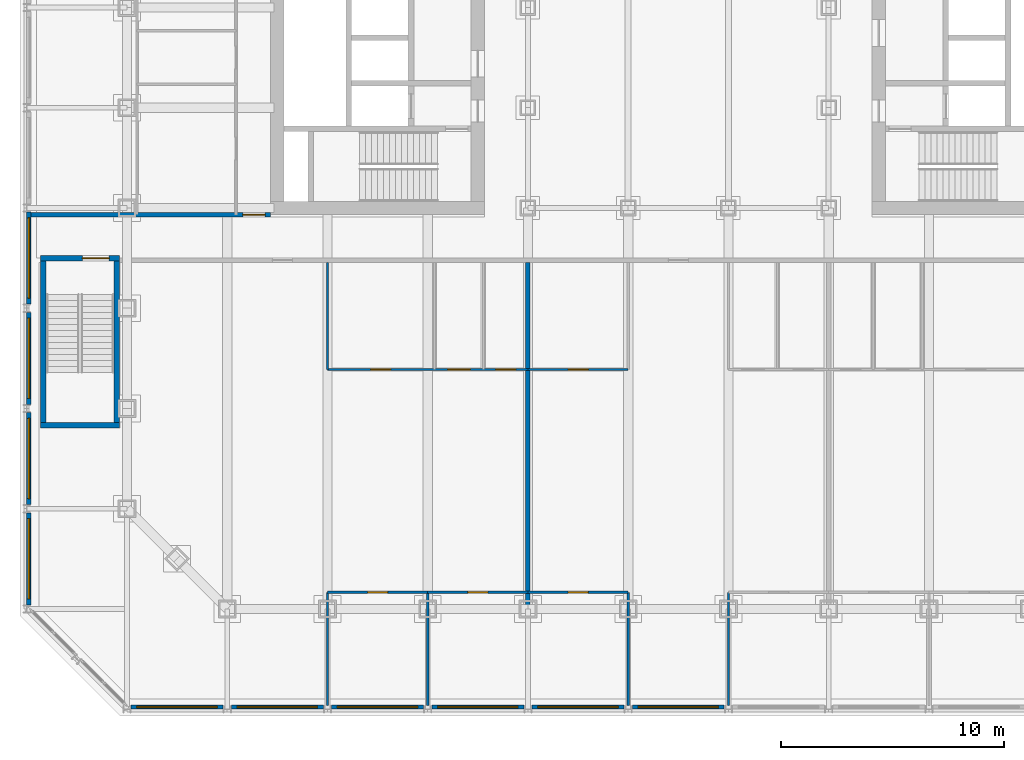
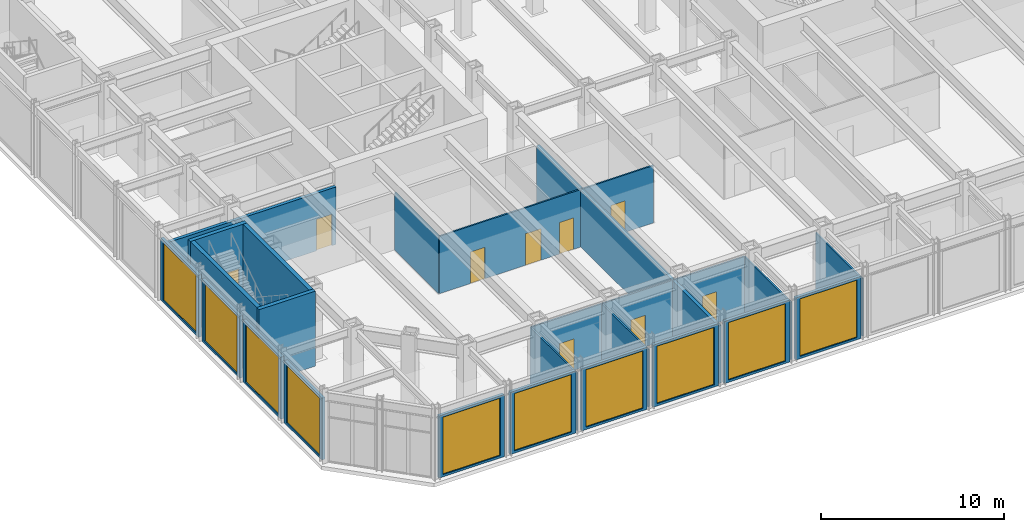
# One storey, part 10 of 19: 26 walls, 10 windows, 9 doors, 19 openings.
"""IFC4 building model written with IfcOpenShell, lengths in metres."""

from ifc_helpers import new_model, si_unit, direction, frame, frame_2d, origin, place, context, subcontext, project, spatial, rectangle, extrude, material, layer, layer_set, type_object, element, fill, save


model = new_model("IFC4")

# Units and contexts
model_context = context("Model", 3, precision=1e-05, world=origin(), true_north=direction((0.0, 1.0)))
body_context = subcontext(model_context, "Body", "Model", "MODEL_VIEW")
ifc_project = project(units=[si_unit("LENGTHUNIT", "METRE"), si_unit("AREAUNIT", "SQUARE_METRE"), si_unit("VOLUMEUNIT", "CUBIC_METRE"), si_unit("PLANEANGLEUNIT", "RADIAN"), si_unit("MASSUNIT", "GRAM", prefix="KILO")], contexts=[model_context])

# Site, building, storey
site_placement = place(None, origin())
site = spatial("IfcSite", under=ifc_project, at=site_placement, CompositionType="ELEMENT")
building_placement = place(site_placement, origin())
building = spatial("IfcBuilding", under=site, at=building_placement, Name="Msasa Ring Tower", CompositionType="ELEMENT")
storey_placement = place(building_placement, frame((0.0, 0.0, 6.0)))
storey = spatial("IfcBuildingStorey", under=building, at=storey_placement, Name="L01", CompositionType="ELEMENT", Elevation=6.0)

# Wall, opening, window
ifc_material_1 = material(Name="Terracotta rainscreen on blockwork", Category="masonry")
ifc_layer_1 = layer(ifc_material_1, 0.199951171875)
ifc_layer_set_1 = layer_set([ifc_layer_1], Name="FW2 TERRACOTTA PODIUM BAY WALL 200")
wall_type_1 = type_object("IfcWallType", Name="FW2 TERRACOTTA PODIUM BAY WALL 200", PredefinedType="SOLIDWALL", material=ifc_layer_set_1)
wall_1_placement = place(storey_placement, frame((-24.562255859375, -29.14990234375, 0.0), z_axis=(0.0, 0.0, 1.0), x_axis=(1.0, 0.0, 0.0)))
wall_1 = element("IfcWall", 1, at=wall_1_placement, inside=storey, type_object=wall_type_1, Name="Podium bay wall S L01 00", PredefinedType="SOLIDWALL", context=body_context, shape_type="SweptSolid", body=[
    extrude(rectangle(XDim=4.12451171875, YDim=0.199951171875, at=frame_2d((2.062255859375, 0.0))), origin(), (0.0, 0.0, 1.0), 4.1328125),
])
opening_1_placement = place(wall_1_placement, frame((0.26220703125, 0.0, 0.14990234375)))
opening_1 = element("IfcOpeningElement", 2, at=opening_1_placement, cuts=wall_1, Name="Opening SF2", PredefinedType="OPENING", context=body_context, shape_type="SweptSolid", body=[
    extrude(rectangle(XDim=3.60009765625, YDim=3.8330078125, at=frame_2d((1.800048828125, 1.91650390625))), frame((0.0, 0.10986328125, 0.0), z_axis=(0.0, -1.0, 0.0), x_axis=(1.0, 0.0, 0.0)), (0.0, 0.0, 1.0), 0.219970703125),
])
ifc_material_2 = material(Name="Aluminium frame with clear glass", Category="aluminium")
window_type = type_object("IfcWindowType", Name="SF2 SHOPFRONT GLAZING 3600x3833", PartitioningType="SINGLE_PANEL", PredefinedType="WINDOW", material=ifc_material_2)
window_1_placement = place(opening_1_placement, origin())
window_1 = element("IfcWindow", 3, at=window_1_placement, inside=storey, type_object=window_type, Name="Shopfront glazing S L01 00", OverallHeight=3.8330078125, OverallWidth=3.60009765625, PartitioningType="SINGLE_PANEL", PredefinedType="WINDOW", context=body_context, shape_type="SweptSolid", body=[
    extrude(rectangle(XDim=3.60009765625, YDim=3.8330078125, at=frame_2d((1.800048828125, 1.91650390625))), frame((0.0, 0.030029296875, 0.0), z_axis=(0.0, -1.0, 0.0), x_axis=(1.0, 0.0, 0.0)), (0.0, 0.0, 1.0), 0.06005859375),
])
fill(opening_1, window_1)

wall_2_placement = place(storey_placement, frame((-20.062255859375, -29.14990234375, 0.0), z_axis=(0.0, 0.0, 1.0), x_axis=(1.0, 0.0, 0.0)))
wall_2 = element("IfcWall", 4, at=wall_2_placement, inside=storey, type_object=wall_type_1, Name="Podium bay wall S L01 01", PredefinedType="SOLIDWALL", context=body_context, shape_type="SweptSolid", body=[
    extrude(rectangle(XDim=4.124755859375, YDim=0.199951171875, at=frame_2d((2.0625, 0.0))), origin(), (0.0, 0.0, 1.0), 4.1328125),
])
opening_2_placement = place(wall_2_placement, frame((0.26220703125, 0.0, 0.14990234375)))
opening_2 = element("IfcOpeningElement", 5, at=opening_2_placement, cuts=wall_2, Name="Opening SF2", PredefinedType="OPENING", context=body_context, shape_type="SweptSolid", body=[
    extrude(rectangle(XDim=3.60009765625, YDim=3.8330078125, at=frame_2d((1.800048828125, 1.91650390625))), frame((0.0, 0.10986328125, 0.0), z_axis=(0.0, -1.0, 0.0), x_axis=(1.0, 0.0, 0.0)), (0.0, 0.0, 1.0), 0.219970703125),
])
window_2_placement = place(opening_2_placement, origin())
window_2 = element("IfcWindow", 6, at=window_2_placement, inside=storey, type_object=window_type, Name="Shopfront glazing S L01 01", OverallHeight=3.8330078125, OverallWidth=3.60009765625, PartitioningType="SINGLE_PANEL", PredefinedType="WINDOW", context=body_context, shape_type="SweptSolid", body=[
    extrude(rectangle(XDim=3.60009765625, YDim=3.8330078125, at=frame_2d((1.800048828125, 1.91650390625))), frame((0.0, 0.030029296875, 0.0), z_axis=(0.0, -1.0, 0.0), x_axis=(1.0, 0.0, 0.0)), (0.0, 0.0, 1.0), 0.06005859375),
])
fill(opening_2, window_2)

wall_3_placement = place(storey_placement, frame((-15.5625, -29.14990234375, 0.0), z_axis=(0.0, 0.0, 1.0), x_axis=(1.0, 0.0, 0.0)))
wall_3 = element("IfcWall", 7, at=wall_3_placement, inside=storey, type_object=wall_type_1, Name="Podium bay wall S L01 02", PredefinedType="SOLIDWALL", context=body_context, shape_type="SweptSolid", body=[
    extrude(rectangle(XDim=4.125, YDim=0.199951171875, at=frame_2d((2.0625, 0.0))), origin(), (0.0, 0.0, 1.0), 4.1328125),
])
opening_3_placement = place(wall_3_placement, frame((0.262451171875, 0.0, 0.14990234375)))
opening_3 = element("IfcOpeningElement", 8, at=opening_3_placement, cuts=wall_3, Name="Opening SF2", PredefinedType="OPENING", context=body_context, shape_type="SweptSolid", body=[
    extrude(rectangle(XDim=3.60009765625, YDim=3.8330078125, at=frame_2d((1.800048828125, 1.91650390625))), frame((0.0, 0.10986328125, 0.0), z_axis=(0.0, -1.0, 0.0), x_axis=(1.0, 0.0, 0.0)), (0.0, 0.0, 1.0), 0.219970703125),
])
window_3_placement = place(opening_3_placement, origin())
window_3 = element("IfcWindow", 9, at=window_3_placement, inside=storey, type_object=window_type, Name="Shopfront glazing S L01 02", OverallHeight=3.8330078125, OverallWidth=3.60009765625, PartitioningType="SINGLE_PANEL", PredefinedType="WINDOW", context=body_context, shape_type="SweptSolid", body=[
    extrude(rectangle(XDim=3.60009765625, YDim=3.8330078125, at=frame_2d((1.800048828125, 1.91650390625))), frame((0.0, 0.030029296875, 0.0), z_axis=(0.0, -1.0, 0.0), x_axis=(1.0, 0.0, 0.0)), (0.0, 0.0, 1.0), 0.06005859375),
])
fill(opening_3, window_3)

wall_4_placement = place(storey_placement, frame((-11.0625, -29.14990234375, 0.0), z_axis=(0.0, 0.0, 1.0), x_axis=(1.0, 0.0, 0.0)))
wall_4 = element("IfcWall", 10, at=wall_4_placement, inside=storey, type_object=wall_type_1, Name="Podium bay wall S L01 03", PredefinedType="SOLIDWALL", context=body_context, shape_type="SweptSolid", body=[
    extrude(rectangle(XDim=4.125, YDim=0.199951171875, at=frame_2d((2.0625, 0.0))), origin(), (0.0, 0.0, 1.0), 4.1328125),
])
opening_4_placement = place(wall_4_placement, frame((0.262451171875, 0.0, 0.14990234375)))
opening_4 = element("IfcOpeningElement", 11, at=opening_4_placement, cuts=wall_4, Name="Opening SF2", PredefinedType="OPENING", context=body_context, shape_type="SweptSolid", body=[
    extrude(rectangle(XDim=3.60009765625, YDim=3.8330078125, at=frame_2d((1.800048828125, 1.91650390625))), frame((0.0, 0.10986328125, 0.0), z_axis=(0.0, -1.0, 0.0), x_axis=(1.0, 0.0, 0.0)), (0.0, 0.0, 1.0), 0.219970703125),
])
window_4_placement = place(opening_4_placement, origin())
window_4 = element("IfcWindow", 12, at=window_4_placement, inside=storey, type_object=window_type, Name="Shopfront glazing S L01 03", OverallHeight=3.8330078125, OverallWidth=3.60009765625, PartitioningType="SINGLE_PANEL", PredefinedType="WINDOW", context=body_context, shape_type="SweptSolid", body=[
    extrude(rectangle(XDim=3.60009765625, YDim=3.8330078125, at=frame_2d((1.800048828125, 1.91650390625))), frame((0.0, 0.030029296875, 0.0), z_axis=(0.0, -1.0, 0.0), x_axis=(1.0, 0.0, 0.0)), (0.0, 0.0, 1.0), 0.06005859375),
])
fill(opening_4, window_4)

wall_5_placement = place(storey_placement, frame((-6.5625, -29.14990234375, 0.0), z_axis=(0.0, 0.0, 1.0), x_axis=(1.0, 0.0, 0.0)))
wall_5 = element("IfcWall", 13, at=wall_5_placement, inside=storey, type_object=wall_type_1, Name="Podium bay wall S L01 04", PredefinedType="SOLIDWALL", context=body_context, shape_type="SweptSolid", body=[
    extrude(rectangle(XDim=4.124755859375, YDim=0.199951171875, at=frame_2d((2.0625, 0.0))), origin(), (0.0, 0.0, 1.0), 4.1328125),
])
opening_5_placement = place(wall_5_placement, frame((0.262451171875, 0.0, 0.14990234375)))
opening_5 = element("IfcOpeningElement", 14, at=opening_5_placement, cuts=wall_5, Name="Opening SF2", PredefinedType="OPENING", context=body_context, shape_type="SweptSolid", body=[
    extrude(rectangle(XDim=3.60009765625, YDim=3.8330078125, at=frame_2d((1.800048828125, 1.91650390625))), frame((0.0, 0.10986328125, 0.0), z_axis=(0.0, -1.0, 0.0), x_axis=(1.0, 0.0, 0.0)), (0.0, 0.0, 1.0), 0.219970703125),
])
window_5_placement = place(opening_5_placement, origin())
window_5 = element("IfcWindow", 15, at=window_5_placement, inside=storey, type_object=window_type, Name="Shopfront glazing S L01 04", OverallHeight=3.8330078125, OverallWidth=3.60009765625, PartitioningType="SINGLE_PANEL", PredefinedType="WINDOW", context=body_context, shape_type="SweptSolid", body=[
    extrude(rectangle(XDim=3.60009765625, YDim=3.8330078125, at=frame_2d((1.800048828125, 1.91650390625))), frame((0.0, 0.030029296875, 0.0), z_axis=(0.0, -1.0, 0.0), x_axis=(1.0, 0.0, 0.0)), (0.0, 0.0, 1.0), 0.06005859375),
])
fill(opening_5, window_5)

wall_6_placement = place(storey_placement, frame((-2.062255859375, -29.14990234375, 0.0), z_axis=(0.0, 0.0, 1.0), x_axis=(1.0, 0.0, 0.0)))
wall_6 = element("IfcWall", 16, at=wall_6_placement, inside=storey, type_object=wall_type_1, Name="Podium bay wall S L01 05", PredefinedType="SOLIDWALL", context=body_context, shape_type="SweptSolid", body=[
    extrude(rectangle(XDim=4.12451171875, YDim=0.199951171875, at=frame_2d((2.062255859375, 0.0))), origin(), (0.0, 0.0, 1.0), 4.1328125),
])
opening_6_placement = place(wall_6_placement, frame((0.26220703125, 0.0, 0.14990234375)))
opening_6 = element("IfcOpeningElement", 17, at=opening_6_placement, cuts=wall_6, Name="Opening SF2", PredefinedType="OPENING", context=body_context, shape_type="SweptSolid", body=[
    extrude(rectangle(XDim=3.60009765625, YDim=3.8330078125, at=frame_2d((1.800048828125, 1.91650390625))), frame((0.0, 0.10986328125, 0.0), z_axis=(0.0, -1.0, 0.0), x_axis=(1.0, 0.0, 0.0)), (0.0, 0.0, 1.0), 0.219970703125),
])
window_6_placement = place(opening_6_placement, origin())
window_6 = element("IfcWindow", 18, at=window_6_placement, inside=storey, type_object=window_type, Name="Shopfront glazing S L01 05", OverallHeight=3.8330078125, OverallWidth=3.60009765625, PartitioningType="SINGLE_PANEL", PredefinedType="WINDOW", context=body_context, shape_type="SweptSolid", body=[
    extrude(rectangle(XDim=3.60009765625, YDim=3.8330078125, at=frame_2d((1.800048828125, 1.91650390625))), frame((0.0, 0.030029296875, 0.0), z_axis=(0.0, -1.0, 0.0), x_axis=(1.0, 0.0, 0.0)), (0.0, 0.0, 1.0), 0.06005859375),
])
fill(opening_6, window_6)

wall_7_placement = place(storey_placement, frame((-29.14990234375, -24.562255859375, 0.0), z_axis=(0.0, 0.0, 1.0), x_axis=(0.0, 1.0, 0.0)))
wall_7 = element("IfcWall", 19, at=wall_7_placement, inside=storey, type_object=wall_type_1, Name="Podium bay wall W L01 39", PredefinedType="SOLIDWALL", context=body_context, shape_type="SweptSolid", body=[
    extrude(rectangle(XDim=4.12451171875, YDim=0.199951171875, at=frame_2d((2.062255859375, 0.0))), origin(), (0.0, 0.0, 1.0), 4.1328125),
])
opening_7_placement = place(wall_7_placement, frame((0.26220703125, 0.0, 0.14990234375)))
opening_7 = element("IfcOpeningElement", 20, at=opening_7_placement, cuts=wall_7, Name="Opening SF2", PredefinedType="OPENING", context=body_context, shape_type="SweptSolid", body=[
    extrude(rectangle(XDim=3.60009765625, YDim=3.8330078125, at=frame_2d((1.800048828125, 1.91650390625))), frame((0.0, 0.10986328125, 0.0), z_axis=(0.0, -1.0, 0.0), x_axis=(1.0, 0.0, 0.0)), (0.0, 0.0, 1.0), 0.219970703125),
])
window_7_placement = place(opening_7_placement, origin())
window_7 = element("IfcWindow", 21, at=window_7_placement, inside=storey, type_object=window_type, Name="Shopfront glazing W L01 39", OverallHeight=3.8330078125, OverallWidth=3.60009765625, PartitioningType="SINGLE_PANEL", PredefinedType="WINDOW", context=body_context, shape_type="SweptSolid", body=[
    extrude(rectangle(XDim=3.60009765625, YDim=3.8330078125, at=frame_2d((1.800048828125, 1.91650390625))), frame((0.0, 0.030029296875, 0.0), z_axis=(0.0, -1.0, 0.0), x_axis=(1.0, 0.0, 0.0)), (0.0, 0.0, 1.0), 0.06005859375),
])
fill(opening_7, window_7)

wall_8_placement = place(storey_placement, frame((-29.14990234375, -20.062255859375, 0.0), z_axis=(0.0, 0.0, 1.0), x_axis=(0.0, 1.0, 0.0)))
wall_8 = element("IfcWall", 22, at=wall_8_placement, inside=storey, type_object=wall_type_1, Name="Podium bay wall W L01 40", PredefinedType="SOLIDWALL", context=body_context, shape_type="SweptSolid", body=[
    extrude(rectangle(XDim=4.124755859375, YDim=0.199951171875, at=frame_2d((2.0625, 0.0))), origin(), (0.0, 0.0, 1.0), 4.1328125),
])
opening_8_placement = place(wall_8_placement, frame((0.26220703125, 0.0, 0.14990234375)))
opening_8 = element("IfcOpeningElement", 23, at=opening_8_placement, cuts=wall_8, Name="Opening SF2", PredefinedType="OPENING", context=body_context, shape_type="SweptSolid", body=[
    extrude(rectangle(XDim=3.60009765625, YDim=3.8330078125, at=frame_2d((1.800048828125, 1.91650390625))), frame((0.0, 0.10986328125, 0.0), z_axis=(0.0, -1.0, 0.0), x_axis=(1.0, 0.0, 0.0)), (0.0, 0.0, 1.0), 0.219970703125),
])
window_8_placement = place(opening_8_placement, origin())
window_8 = element("IfcWindow", 24, at=window_8_placement, inside=storey, type_object=window_type, Name="Shopfront glazing W L01 40", OverallHeight=3.8330078125, OverallWidth=3.60009765625, PartitioningType="SINGLE_PANEL", PredefinedType="WINDOW", context=body_context, shape_type="SweptSolid", body=[
    extrude(rectangle(XDim=3.60009765625, YDim=3.8330078125, at=frame_2d((1.800048828125, 1.91650390625))), frame((0.0, 0.030029296875, 0.0), z_axis=(0.0, -1.0, 0.0), x_axis=(1.0, 0.0, 0.0)), (0.0, 0.0, 1.0), 0.06005859375),
])
fill(opening_8, window_8)

wall_9_placement = place(storey_placement, frame((-29.14990234375, -15.5625, 0.0), z_axis=(0.0, 0.0, 1.0), x_axis=(0.0, 1.0, 0.0)))
wall_9 = element("IfcWall", 25, at=wall_9_placement, inside=storey, type_object=wall_type_1, Name="Podium bay wall W L01 41", PredefinedType="SOLIDWALL", context=body_context, shape_type="SweptSolid", body=[
    extrude(rectangle(XDim=4.125, YDim=0.199951171875, at=frame_2d((2.0625, 0.0))), origin(), (0.0, 0.0, 1.0), 4.1328125),
])
opening_9_placement = place(wall_9_placement, frame((0.262451171875, 0.0, 0.14990234375)))
opening_9 = element("IfcOpeningElement", 26, at=opening_9_placement, cuts=wall_9, Name="Opening SF2", PredefinedType="OPENING", context=body_context, shape_type="SweptSolid", body=[
    extrude(rectangle(XDim=3.60009765625, YDim=3.8330078125, at=frame_2d((1.800048828125, 1.91650390625))), frame((0.0, 0.10986328125, 0.0), z_axis=(0.0, -1.0, 0.0), x_axis=(1.0, 0.0, 0.0)), (0.0, 0.0, 1.0), 0.219970703125),
])
window_9_placement = place(opening_9_placement, origin())
window_9 = element("IfcWindow", 27, at=window_9_placement, inside=storey, type_object=window_type, Name="Shopfront glazing W L01 41", OverallHeight=3.8330078125, OverallWidth=3.60009765625, PartitioningType="SINGLE_PANEL", PredefinedType="WINDOW", context=body_context, shape_type="SweptSolid", body=[
    extrude(rectangle(XDim=3.60009765625, YDim=3.8330078125, at=frame_2d((1.800048828125, 1.91650390625))), frame((0.0, 0.030029296875, 0.0), z_axis=(0.0, -1.0, 0.0), x_axis=(1.0, 0.0, 0.0)), (0.0, 0.0, 1.0), 0.06005859375),
])
fill(opening_9, window_9)

wall_10_placement = place(storey_placement, frame((-29.14990234375, -11.0625, 0.0), z_axis=(0.0, 0.0, 1.0), x_axis=(0.0, 1.0, 0.0)))
wall_10 = element("IfcWall", 28, at=wall_10_placement, inside=storey, type_object=wall_type_1, Name="Podium bay wall W L01 42", PredefinedType="SOLIDWALL", context=body_context, shape_type="SweptSolid", body=[
    extrude(rectangle(XDim=4.125, YDim=0.199951171875, at=frame_2d((2.0625, 0.0))), origin(), (0.0, 0.0, 1.0), 4.1328125),
])
opening_10_placement = place(wall_10_placement, frame((0.262451171875, 0.0, 0.14990234375)))
opening_10 = element("IfcOpeningElement", 29, at=opening_10_placement, cuts=wall_10, Name="Opening SF2", PredefinedType="OPENING", context=body_context, shape_type="SweptSolid", body=[
    extrude(rectangle(XDim=3.60009765625, YDim=3.8330078125, at=frame_2d((1.800048828125, 1.91650390625))), frame((0.0, 0.10986328125, 0.0), z_axis=(0.0, -1.0, 0.0), x_axis=(1.0, 0.0, 0.0)), (0.0, 0.0, 1.0), 0.219970703125),
])
window_10_placement = place(opening_10_placement, origin())
window_10 = element("IfcWindow", 30, at=window_10_placement, inside=storey, type_object=window_type, Name="Shopfront glazing W L01 42", OverallHeight=3.8330078125, OverallWidth=3.60009765625, PartitioningType="SINGLE_PANEL", PredefinedType="WINDOW", context=body_context, shape_type="SweptSolid", body=[
    extrude(rectangle(XDim=3.60009765625, YDim=3.8330078125, at=frame_2d((1.800048828125, 1.91650390625))), frame((0.0, 0.030029296875, 0.0), z_axis=(0.0, -1.0, 0.0), x_axis=(1.0, 0.0, 0.0)), (0.0, 0.0, 1.0), 0.06005859375),
])
fill(opening_10, window_10)

# Wall, opening, door
ifc_material_3 = material(Name="Concrete blockwork", Category="masonry")
ifc_layer_2 = layer(ifc_material_3, 0.199951171875)
ifc_layer_set_2 = layer_set([ifc_layer_2], Name="PT1 CORRIDOR WALL 200")
wall_type_2 = type_object("IfcWallType", Name="PT1 CORRIDOR WALL 200", PredefinedType="PARTITIONING", material=ifc_layer_set_2)
wall_11_placement = place(storey_placement, frame((-29.050048828125, -7.050048828125, 0.0), z_axis=(0.0, 0.0, 1.0), x_axis=(1.0, 0.0, 0.0)))
wall_11 = element("IfcWall", 31, at=wall_11_placement, inside=storey, type_object=wall_type_2, Name="Corridor wall L01-STRWS", PredefinedType="PARTITIONING", context=body_context, shape_type="SweptSolid", body=[
    extrude(rectangle(XDim=10.75, YDim=0.199951171875, at=frame_2d((5.375, 0.0))), origin(), (0.0, 0.0, 1.0), 3.8291015625),
])
opening_11_placement = place(wall_11_placement, frame((9.5, 0.0, 0.0)))
opening_11 = element("IfcOpeningElement", 32, at=opening_11_placement, cuts=wall_11, Name="Opening L01-033", PredefinedType="OPENING", context=body_context, shape_type="SweptSolid", body=[
    extrude(rectangle(XDim=1.0, YDim=2.10009765625, at=frame_2d((0.5, 1.050048828125))), frame((0.0, 0.10986328125, 0.0), z_axis=(0.0, -1.0, 0.0), x_axis=(1.0, 0.0, 0.0)), (0.0, 0.0, 1.0), 0.219970703125),
])
ifc_material_4 = material(Name="Timber door leaf in a steel frame", Category="steel")
door_type_1 = type_object("IfcDoorType", Name="D12 WC DOOR 1000x2100", OperationType="SINGLE_SWING_LEFT", PredefinedType="DOOR", material=ifc_material_4)
door_1_placement = place(opening_11_placement, origin())
door_1 = element("IfcDoor", 33, at=door_1_placement, inside=storey, type_object=door_type_1, Name="Door L01-WLWS", OperationType="SINGLE_SWING_RIGHT", OverallHeight=2.10009765625, OverallWidth=1.0, PredefinedType="DOOR", context=body_context, shape_type="SweptSolid", body=[
    extrude(rectangle(XDim=1.0, YDim=2.10009765625, at=frame_2d((0.5, 1.050048828125))), frame((0.0, 0.02490234375, 0.0), z_axis=(0.0, -1.0, 0.0), x_axis=(1.0, 0.0, 0.0)), (0.0, 0.0, 1.0), 0.050048828125),
])
fill(opening_11, door_1)

# Wall, openings, doors
ifc_material_5 = material(Name="Gypsum board on steel studs", Category="steel")
ifc_layer_3 = layer(ifc_material_5, 0.10009765625)
ifc_layer_set_3 = layer_set([ifc_layer_3], Name="PT2 STUD PARTITION 100")
wall_type_3 = type_object("IfcWallType", Name="PT2 STUD PARTITION 100", PredefinedType="PARTITIONING", material=ifc_layer_set_3)
wall_12_placement = place(storey_placement, frame((-15.75, -14.0, 0.0), z_axis=(0.0, 0.0, 1.0), x_axis=(1.0, 0.0, 0.0)))
wall_12 = element("IfcWall", 34, at=wall_12_placement, inside=storey, type_object=wall_type_3, Name="Partition L01-PDS0BY", PredefinedType="PARTITIONING", context=body_context, shape_type="SweptSolid", body=[
    extrude(rectangle(XDim=9.0, YDim=0.10009765625, at=frame_2d((4.5, 0.0))), origin(), (0.0, 0.0, 1.0), 3.8291015625),
])
opening_12_placement = place(wall_12_placement, frame((1.949951171875, 0.0, 0.0)))
opening_12 = element("IfcOpeningElement", 35, at=opening_12_placement, cuts=wall_12, Name="Opening L01-040", PredefinedType="OPENING", context=body_context, shape_type="SweptSolid", body=[
    extrude(rectangle(XDim=0.89990234375, YDim=2.10009765625, at=frame_2d((0.449951171875, 1.050048828125))), frame((0.0, 0.06005859375, 0.0), z_axis=(0.0, -1.0, 0.0), x_axis=(1.0, 0.0, 0.0)), (0.0, 0.0, 1.0), 0.1201171875),
])
opening_13_placement = place(wall_12_placement, frame((5.39990234375, 0.0, 0.0)))
opening_13 = element("IfcOpeningElement", 36, at=opening_13_placement, cuts=wall_12, Name="Opening L01-041", PredefinedType="OPENING", context=body_context, shape_type="SweptSolid", body=[
    extrude(rectangle(XDim=1.0, YDim=2.10009765625, at=frame_2d((0.5, 1.050048828125))), frame((0.0, 0.06005859375, 0.0), z_axis=(0.0, -1.0, 0.0), x_axis=(1.0, 0.0, 0.0)), (0.0, 0.0, 1.0), 0.1201171875),
])
opening_14_placement = place(wall_12_placement, frame((7.550048828125, 0.0, 0.0)))
opening_14 = element("IfcOpeningElement", 37, at=opening_14_placement, cuts=wall_12, Name="Opening L01-042", PredefinedType="OPENING", context=body_context, shape_type="SweptSolid", body=[
    extrude(rectangle(XDim=0.89990234375, YDim=2.10009765625, at=frame_2d((0.449951171875, 1.050048828125))), frame((0.0, 0.06005859375, 0.0), z_axis=(0.0, -1.0, 0.0), x_axis=(1.0, 0.0, 0.0)), (0.0, 0.0, 1.0), 0.1201171875),
])
ifc_material_6 = material(Name="Timber door leaf in a steel frame", Category="steel")
door_type_2 = type_object("IfcDoorType", Name="D22 INTERNAL HALL DOOR 900x2100", OperationType="SINGLE_SWING_LEFT", PredefinedType="DOOR", material=ifc_material_6)
door_2_placement = place(opening_12_placement, origin())
door_2 = element("IfcDoor", 38, at=door_2_placement, inside=storey, type_object=door_type_2, Name="Door L01-PDS0B0", OperationType="SINGLE_SWING_LEFT", OverallHeight=2.10009765625, OverallWidth=0.89990234375, PredefinedType="DOOR", context=body_context, shape_type="SweptSolid", body=[
    extrude(rectangle(XDim=0.89990234375, YDim=2.10009765625, at=frame_2d((0.449951171875, 1.050048828125))), frame((0.0, 0.02490234375, 0.0), z_axis=(0.0, -1.0, 0.0), x_axis=(1.0, 0.0, 0.0)), (0.0, 0.0, 1.0), 0.050048828125),
])
fill(opening_12, door_2)
door_3_placement = place(opening_14_placement, origin())
door_3 = element("IfcDoor", 39, at=door_3_placement, inside=storey, type_object=door_type_2, Name="Door L01-PDS0B2", OperationType="SINGLE_SWING_RIGHT", OverallHeight=2.10009765625, OverallWidth=0.89990234375, PredefinedType="DOOR", context=body_context, shape_type="SweptSolid", body=[
    extrude(rectangle(XDim=0.89990234375, YDim=2.10009765625, at=frame_2d((0.449951171875, 1.050048828125))), frame((0.0, 0.02490234375, 0.0), z_axis=(0.0, -1.0, 0.0), x_axis=(1.0, 0.0, 0.0)), (0.0, 0.0, 1.0), 0.050048828125),
])
fill(opening_14, door_3)
ifc_material_7 = material(Name="Timber door leaf in a steel frame", Category="steel")
door_type_3 = type_object("IfcDoorType", Name="D27 INTERNAL STORE DOOR 1000x2100", OperationType="SINGLE_SWING_LEFT", PredefinedType="DOOR", material=ifc_material_7)
door_4_placement = place(opening_13_placement, origin())
door_4 = element("IfcDoor", 40, at=door_4_placement, inside=storey, type_object=door_type_3, Name="Door L01-PDS0B1", OperationType="SINGLE_SWING_RIGHT", OverallHeight=2.10009765625, OverallWidth=1.0, PredefinedType="DOOR", context=body_context, shape_type="SweptSolid", body=[
    extrude(rectangle(XDim=1.0, YDim=2.10009765625, at=frame_2d((0.5, 1.050048828125))), frame((0.0, 0.02490234375, 0.0), z_axis=(0.0, -1.0, 0.0), x_axis=(1.0, 0.0, 0.0)), (0.0, 0.0, 1.0), 0.050048828125),
])
fill(opening_13, door_4)

# Walls
wall_13_placement = place(storey_placement, frame((-15.75, -14.0, 0.0), z_axis=(0.0, 0.0, 1.0), x_axis=(0.0, 1.0, 0.0)))
element("IfcWall", 41, at=wall_13_placement, inside=storey, type_object=wall_type_3, Name="Partition L01-PDS0BX-15.75", PredefinedType="PARTITIONING", context=body_context, shape_type="SweptSolid", body=[
    extrude(rectangle(XDim=4.800048828125, YDim=0.10009765625, at=frame_2d((2.39990234375, 0.0))), origin(), (0.0, 0.0, 1.0), 3.8291015625),
])
for number, where, z_axis, x_axis, name in (
    (42, (-15.75, -29.0888671875, 0.0), (0.0, 0.0, 1.0), (0.0, 1.0, 0.0), "Partition L01-PDS0FX-15.75"),
    (43, (-11.25, -29.0888671875, 0.0), (0.0, 0.0, 1.0), (0.0, 1.0, 0.0), "Partition L01-PDS0FX-11.25"),
):
    element("IfcWall", number, at=place(storey_placement, frame(where, z_axis=z_axis, x_axis=x_axis)), inside=storey, type_object=wall_type_3, Name=name, PredefinedType="PARTITIONING", context=body_context, shape_type="SweptSolid", body=[
        extrude(rectangle(XDim=5.0888671875, YDim=0.10009765625, at=frame_2d((2.54443359375, 0.0))), origin(), (0.0, 0.0, 1.0), 3.8291015625),
    ])

# Wall, opening, door
wall_14_placement = place(storey_placement, frame((-15.75, -24.0, 0.0), z_axis=(0.0, 0.0, 1.0), x_axis=(1.0, 0.0, 0.0)))
wall_14 = element("IfcWall", 44, at=wall_14_placement, inside=storey, type_object=wall_type_3, Name="Partition L01-PDS0FY0", PredefinedType="PARTITIONING", context=body_context, shape_type="SweptSolid", body=[
    extrude(rectangle(XDim=4.5, YDim=0.10009765625, at=frame_2d((2.25, 0.0))), origin(), (0.0, 0.0, 1.0), 3.8291015625),
])
opening_15_placement = place(wall_14_placement, frame((1.800048828125, 0.0, 0.0)))
opening_15 = element("IfcOpeningElement", 45, at=opening_15_placement, cuts=wall_14, Name="Opening L01-049", PredefinedType="OPENING", context=body_context, shape_type="SweptSolid", body=[
    extrude(rectangle(XDim=0.89990234375, YDim=2.10009765625, at=frame_2d((0.449951171875, 1.050048828125))), frame((0.0, 0.06005859375, 0.0), z_axis=(0.0, -1.0, 0.0), x_axis=(1.0, 0.0, 0.0)), (0.0, 0.0, 1.0), 0.1201171875),
])
door_5_placement = place(opening_15_placement, origin())
door_5 = element("IfcDoor", 46, at=door_5_placement, inside=storey, type_object=door_type_2, Name="Door L01-PDS0F0", OperationType="SINGLE_SWING_LEFT", OverallHeight=2.10009765625, OverallWidth=0.89990234375, PredefinedType="DOOR", context=body_context, shape_type="SweptSolid", body=[
    extrude(rectangle(XDim=0.89990234375, YDim=2.10009765625, at=frame_2d((0.449951171875, 1.050048828125))), frame((0.0, 0.02490234375, 0.0), z_axis=(0.0, -1.0, 0.0), x_axis=(1.0, 0.0, 0.0)), (0.0, 0.0, 1.0), 0.050048828125),
])
fill(opening_15, door_5)

wall_15_placement = place(storey_placement, frame((-11.25, -24.0, 0.0), z_axis=(0.0, 0.0, 1.0), x_axis=(1.0, 0.0, 0.0)))
wall_15 = element("IfcWall", 47, at=wall_15_placement, inside=storey, type_object=wall_type_3, Name="Partition L01-PDS0FY1", PredefinedType="PARTITIONING", context=body_context, shape_type="SweptSolid", body=[
    extrude(rectangle(XDim=4.5, YDim=0.10009765625, at=frame_2d((2.25, 0.0))), origin(), (0.0, 0.0, 1.0), 3.8291015625),
])
opening_16_placement = place(wall_15_placement, frame((1.800048828125, 0.0, 0.0)))
opening_16 = element("IfcOpeningElement", 48, at=opening_16_placement, cuts=wall_15, Name="Opening L01-050", PredefinedType="OPENING", context=body_context, shape_type="SweptSolid", body=[
    extrude(rectangle(XDim=0.89990234375, YDim=2.10009765625, at=frame_2d((0.449951171875, 1.050048828125))), frame((0.0, 0.06005859375, 0.0), z_axis=(0.0, -1.0, 0.0), x_axis=(1.0, 0.0, 0.0)), (0.0, 0.0, 1.0), 0.1201171875),
])
door_6_placement = place(opening_16_placement, origin())
door_6 = element("IfcDoor", 49, at=door_6_placement, inside=storey, type_object=door_type_2, Name="Door L01-PDS0F1", OperationType="SINGLE_SWING_LEFT", OverallHeight=2.10009765625, OverallWidth=0.89990234375, PredefinedType="DOOR", context=body_context, shape_type="SweptSolid", body=[
    extrude(rectangle(XDim=0.89990234375, YDim=2.10009765625, at=frame_2d((0.449951171875, 1.050048828125))), frame((0.0, 0.02490234375, 0.0), z_axis=(0.0, -1.0, 0.0), x_axis=(1.0, 0.0, 0.0)), (0.0, 0.0, 1.0), 0.050048828125),
])
fill(opening_16, door_6)

wall_16_placement = place(storey_placement, frame((-6.75, -14.0, 0.0), z_axis=(0.0, 0.0, 1.0), x_axis=(1.0, 0.0, 0.0)))
wall_16 = element("IfcWall", 50, at=wall_16_placement, inside=storey, type_object=wall_type_3, Name="Partition L01-PDS1BY", PredefinedType="PARTITIONING", context=body_context, shape_type="SweptSolid", body=[
    extrude(rectangle(XDim=4.5, YDim=0.10009765625, at=frame_2d((2.25, 0.0))), origin(), (0.0, 0.0, 1.0), 3.8291015625),
])
opening_17_placement = place(wall_16_placement, frame((1.800048828125, 0.0, 0.0)))
opening_17 = element("IfcOpeningElement", 51, at=opening_17_placement, cuts=wall_16, Name="Opening L01-043", PredefinedType="OPENING", context=body_context, shape_type="SweptSolid", body=[
    extrude(rectangle(XDim=0.89990234375, YDim=2.10009765625, at=frame_2d((0.449951171875, 1.050048828125))), frame((0.0, 0.06005859375, 0.0), z_axis=(0.0, -1.0, 0.0), x_axis=(1.0, 0.0, 0.0)), (0.0, 0.0, 1.0), 0.1201171875),
])
door_7_placement = place(opening_17_placement, origin())
door_7 = element("IfcDoor", 52, at=door_7_placement, inside=storey, type_object=door_type_2, Name="Door L01-PDS1B0", OperationType="SINGLE_SWING_LEFT", OverallHeight=2.10009765625, OverallWidth=0.89990234375, PredefinedType="DOOR", context=body_context, shape_type="SweptSolid", body=[
    extrude(rectangle(XDim=0.89990234375, YDim=2.10009765625, at=frame_2d((0.449951171875, 1.050048828125))), frame((0.0, 0.02490234375, 0.0), z_axis=(0.0, -1.0, 0.0), x_axis=(1.0, 0.0, 0.0)), (0.0, 0.0, 1.0), 0.050048828125),
])
fill(opening_17, door_7)

# Wall
wall_17_placement = place(storey_placement, frame((-2.25, -29.0888671875, 0.0), z_axis=(0.0, 0.0, 1.0), x_axis=(0.0, 1.0, 0.0)))
element("IfcWall", 53, at=wall_17_placement, inside=storey, type_object=wall_type_3, Name="Partition L01-PDS1FX-2.25", PredefinedType="PARTITIONING", context=body_context, shape_type="SweptSolid", body=[
    extrude(rectangle(XDim=5.0888671875, YDim=0.10009765625, at=frame_2d((2.54443359375, 0.0))), origin(), (0.0, 0.0, 1.0), 3.8291015625),
])

# Wall, opening, door
wall_18_placement = place(storey_placement, frame((-6.75, -24.0, 0.0), z_axis=(0.0, 0.0, 1.0), x_axis=(1.0, 0.0, 0.0)))
wall_18 = element("IfcWall", 54, at=wall_18_placement, inside=storey, type_object=wall_type_3, Name="Partition L01-PDS1FY0", PredefinedType="PARTITIONING", context=body_context, shape_type="SweptSolid", body=[
    extrude(rectangle(XDim=4.5, YDim=0.10009765625, at=frame_2d((2.25, 0.0))), origin(), (0.0, 0.0, 1.0), 3.8291015625),
])
opening_18_placement = place(wall_18_placement, frame((1.800048828125, 0.0, 0.0)))
opening_18 = element("IfcOpeningElement", 55, at=opening_18_placement, cuts=wall_18, Name="Opening L01-051", PredefinedType="OPENING", context=body_context, shape_type="SweptSolid", body=[
    extrude(rectangle(XDim=0.89990234375, YDim=2.10009765625, at=frame_2d((0.449951171875, 1.050048828125))), frame((0.0, 0.06005859375, 0.0), z_axis=(0.0, -1.0, 0.0), x_axis=(1.0, 0.0, 0.0)), (0.0, 0.0, 1.0), 0.1201171875),
])
door_8_placement = place(opening_18_placement, origin())
door_8 = element("IfcDoor", 56, at=door_8_placement, inside=storey, type_object=door_type_2, Name="Door L01-PDS1F0", OperationType="SINGLE_SWING_LEFT", OverallHeight=2.10009765625, OverallWidth=0.89990234375, PredefinedType="DOOR", context=body_context, shape_type="SweptSolid", body=[
    extrude(rectangle(XDim=0.89990234375, YDim=2.10009765625, at=frame_2d((0.449951171875, 1.050048828125))), frame((0.0, 0.02490234375, 0.0), z_axis=(0.0, -1.0, 0.0), x_axis=(1.0, 0.0, 0.0)), (0.0, 0.0, 1.0), 0.050048828125),
])
fill(opening_18, door_8)

# Walls
wall_19_placement = place(storey_placement, frame((2.25, -29.0888671875, 0.0), z_axis=(0.0, 0.0, 1.0), x_axis=(0.0, 1.0, 0.0)))
element("IfcWall", 57, at=wall_19_placement, inside=storey, type_object=wall_type_3, Name="Partition L01-PDS1FX+2.25", PredefinedType="PARTITIONING", context=body_context, shape_type="SweptSolid", body=[
    extrude(rectangle(XDim=5.0888671875, YDim=0.10009765625, at=frame_2d((2.54443359375, 0.0))), origin(), (0.0, 0.0, 1.0), 3.8291015625),
])
ifc_material_8 = material(Name="Dense concrete blockwork, plastered both faces", Category="masonry")
ifc_layer_4 = layer(ifc_material_8, 0.25)
ifc_layer_set_4 = layer_set([ifc_layer_4], Name="PT3 APARTMENT SEPARATING WALL 250")
wall_type_4 = type_object("IfcWallType", Name="PT3 APARTMENT SEPARATING WALL 250", PredefinedType="PARTITIONING", material=ifc_layer_set_4)
wall_20_placement = place(storey_placement, frame((-6.75, -29.0888671875, 0.0), z_axis=(0.0, 0.0, 1.0), x_axis=(0.0, 1.0, 0.0)))
element("IfcWall", 58, at=wall_20_placement, inside=storey, type_object=wall_type_4, Name="Party wall L01-PWS-6.75", PredefinedType="PARTITIONING", context=body_context, shape_type="SweptSolid", body=[
    extrude(rectangle(XDim=19.888916015625, YDim=0.199951171875, at=frame_2d((9.9443359375, 0.0))), origin(), (0.0, 0.0, 1.0), 3.8291015625),
])
ifc_material_9 = material(Name="Concrete C60/75", Category="concrete")
ifc_layer_5 = layer(ifc_material_9, 0.25)
ifc_layer_set_5 = layer_set([ifc_layer_5], Name="SW1 STAIR WALL 250")
wall_type_5 = type_object("IfcWallType", Name="SW1 STAIR WALL 250", PredefinedType="SHEAR", material=ifc_layer_set_5)
wall_21_placement = place(storey_placement, frame((-28.625, -16.5, 0.0), z_axis=(0.0, 0.0, 1.0), x_axis=(1.0, 0.0, 0.0)))
element("IfcWall", 59, at=wall_21_placement, inside=storey, type_object=wall_type_5, Name="Podium stair WS wall S L01", PredefinedType="SHEAR", context=body_context, shape_type="SweptSolid", body=[
    extrude(rectangle(XDim=3.550048828125, YDim=0.25, at=frame_2d((1.77490234375, 0.0))), origin(), (0.0, 0.0, 1.0), 5.0),
])

# Wall, opening, door
wall_22_placement = place(storey_placement, frame((-28.625, -9.0, 0.0), z_axis=(0.0, 0.0, 1.0), x_axis=(1.0, 0.0, 0.0)))
wall_22 = element("IfcWall", 60, at=wall_22_placement, inside=storey, type_object=wall_type_5, Name="Podium stair WS wall N L01", PredefinedType="SHEAR", context=body_context, shape_type="SweptSolid", body=[
    extrude(rectangle(XDim=3.550048828125, YDim=0.25, at=frame_2d((1.77490234375, 0.0))), origin(), (0.0, 0.0, 1.0), 5.0),
])
opening_19_placement = place(wall_22_placement, frame((1.875, 0.0, 0.0)))
opening_19 = element("IfcOpeningElement", 61, at=opening_19_placement, cuts=wall_22, Name="Opening L01-035", PredefinedType="OPENING", context=body_context, shape_type="SweptSolid", body=[
    extrude(rectangle(XDim=1.199951171875, YDim=2.10009765625, at=frame_2d((0.60009765625, 1.050048828125))), frame((0.0, 0.135009765625, 0.0), z_axis=(0.0, -1.0, 0.0), x_axis=(1.0, 0.0, 0.0)), (0.0, 0.0, 1.0), 0.27001953125),
])
ifc_material_10 = material(Name="Timber door leaf in a steel frame", Category="steel")
door_type_4 = type_object("IfcDoorType", Name="D7 WIDE STAIR DOOR 1200x2100", OperationType="SINGLE_SWING_LEFT", PredefinedType="DOOR", material=ifc_material_10)
door_9_placement = place(opening_19_placement, origin())
door_9 = element("IfcDoor", 62, at=door_9_placement, inside=storey, type_object=door_type_4, Name="Door L01-PSTWS", OperationType="SINGLE_SWING_RIGHT", OverallHeight=2.10009765625, OverallWidth=1.199951171875, PredefinedType="DOOR", context=body_context, shape_type="SweptSolid", body=[
    extrude(rectangle(XDim=1.199951171875, YDim=2.10009765625, at=frame_2d((0.60009765625, 1.050048828125))), frame((0.0, 0.02490234375, 0.0), z_axis=(0.0, -1.0, 0.0), x_axis=(1.0, 0.0, 0.0)), (0.0, 0.0, 1.0), 0.050048828125),
])
fill(opening_19, door_9)

# Walls
for number, where, z_axis, x_axis, name in (
    (63, (-28.5, -16.375, 0.0), (0.0, 0.0, 1.0), (0.0, 1.0, 0.0), "Podium stair WS wall W L01"),
    (64, (-25.199951171875, -16.375, 0.0), (0.0, 0.0, 1.0), (0.0, 1.0, 0.0), "Podium stair WS wall E L01"),
):
    element("IfcWall", number, at=place(storey_placement, frame(where, z_axis=z_axis, x_axis=x_axis)), inside=storey, type_object=wall_type_5, Name=name, PredefinedType="SHEAR", context=body_context, shape_type="SweptSolid", body=[
        extrude(rectangle(XDim=7.25, YDim=0.25, at=frame_2d((3.625, 0.0))), origin(), (0.0, 0.0, 1.0), 5.0),
    ])

save(model, "model.ifc")
